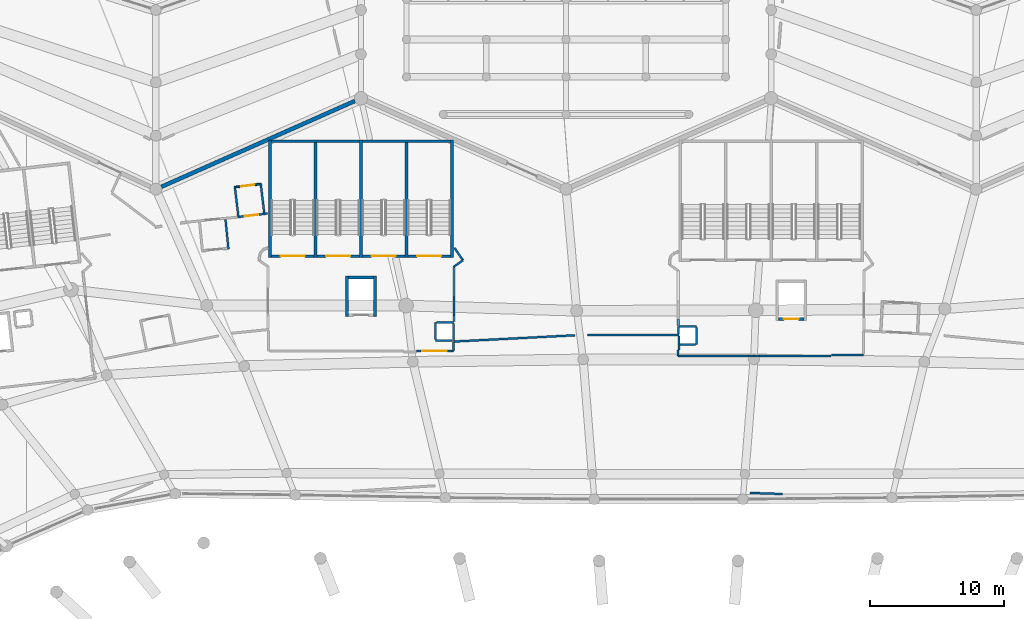
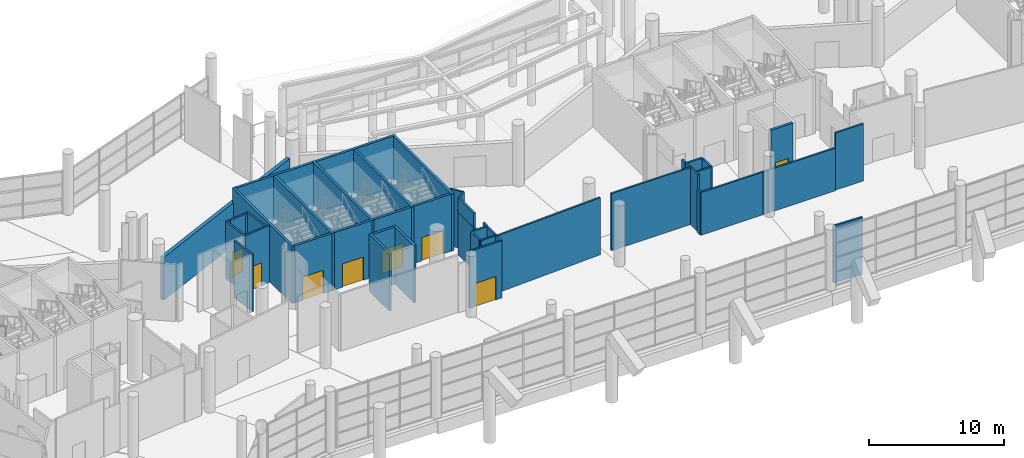
# One storey, part 188 of 271: 49 walls, 8 doors, 8 openings.
"""IFC4 building model written with IfcOpenShell, lengths in metres."""

from ifc_helpers import new_model, si_unit, direction, frame, frame_2d, origin, place, context, subcontext, project, spatial, rectangle, extrude, material, layer, layer_set, type_object, element, fill, save


model = new_model("IFC4")

# Units and contexts
model_context = context("Model", 3, precision=1e-05, world=origin(), true_north=direction((0.0, 1.0)))
body_context = subcontext(model_context, "Body", "Model", "MODEL_VIEW")
ifc_project = project(units=[si_unit("LENGTHUNIT", "METRE"), si_unit("AREAUNIT", "SQUARE_METRE"), si_unit("VOLUMEUNIT", "CUBIC_METRE"), si_unit("PLANEANGLEUNIT", "RADIAN"), si_unit("MASSUNIT", "GRAM", prefix="KILO")], contexts=[model_context])

# Site, building, storey
site_placement = place(None, origin())
site = spatial("IfcSite", under=ifc_project, at=site_placement, CompositionType="ELEMENT")
building_placement = place(site_placement, origin())
building = spatial("IfcBuilding", under=site, at=building_placement, Name="Meseta Stadium", CompositionType="ELEMENT")
storey_placement = place(building_placement, frame((0.0, 0.0, 6.5)))
storey = spatial("IfcBuildingStorey", under=building, at=storey_placement, Name="L01", CompositionType="ELEMENT", Elevation=6.5)

# Walls
ifc_material_1 = material(Name="Concrete C40/50", Category="concrete")
ifc_layer_1 = layer(ifc_material_1, 0.199951171875)
ifc_layer_set_1 = layer_set([ifc_layer_1], Name="Core divider wall 200")
wall_type_1 = type_object("IfcWallType", Name="Core divider wall 200", PredefinedType="SHEAR", material=ifc_layer_set_1)
for number, where, z_axis, x_axis, name in (
    (1, (-19.60009765625, 102.300048828125, 0.0), (0.0, 0.0, 1.0), (0.0, -1.0, 0.0), "Core 11 L01 stair A divider wall"),
    (2, (-26.39990234375, 102.300048828125, 0.0), (0.0, 0.0, 1.0), (0.0, -1.0, 0.0), "Core 11 L01 stair B divider wall"),
):
    element("IfcWall", number, at=place(storey_placement, frame(where, z_axis=z_axis, x_axis=x_axis)), inside=storey, type_object=wall_type_1, Name=name, PredefinedType="SHEAR", context=body_context, shape_type="SweptSolid", body=[
        extrude(rectangle(XDim=8.800048828125, YDim=0.199951171875, at=frame_2d((4.39990234375, 0.0))), origin(), (0.0, 0.0, 1.0), 5.14990234375),
    ])

# Wall, opening, door
ifc_material_2 = material(Name="Concrete C40/50", Category="concrete")
ifc_layer_2 = layer(ifc_material_2, 0.199951171875)
ifc_layer_set_2 = layer_set([ifc_layer_2], Name="Core shaft wall 200")
wall_type_2 = type_object("IfcWallType", Name="Core shaft wall 200", PredefinedType="SHEAR", material=ifc_layer_set_2)
wall_1_placement = place(storey_placement, frame((10.11669921875, 88.89990234375, 0.0), z_axis=(0.0, 0.0, 1.0), x_axis=(-1.0, 0.0, 0.0)))
wall_1 = element("IfcWall", 3, at=wall_1_placement, inside=storey, type_object=wall_type_2, Name="Core 10 L01 lift shaft front wall", PredefinedType="SHEAR", context=body_context, shape_type="SweptSolid", body=[
    extrude(rectangle(XDim=1.89990234375, YDim=0.199951171875, at=frame_2d((0.949951171875, 0.0))), origin(), (0.0, 0.0, 1.0), 5.14990234375),
])
opening_1_placement = place(wall_1_placement, frame((0.39990234375, 0.0, 0.0)))
opening_1 = element("IfcOpeningElement", 4, at=opening_1_placement, cuts=wall_1, Name="Opening LD53", PredefinedType="OPENING", context=body_context, shape_type="SweptSolid", body=[
    extrude(rectangle(XDim=1.10009765625, YDim=2.10009765625, at=frame_2d((0.550048828125, 1.050048828125))), frame((0.0, 0.10986328125, 0.0), z_axis=(0.0, -1.0, 0.0), x_axis=(1.0, 0.0, 0.0)), (0.0, 0.0, 1.0), 0.219970703125),
])
ifc_material_3 = material(Name="Steel", Category="steel")
door_type_1 = type_object("IfcDoorType", Name="Lift landing door 1100x2100", OperationType="SLIDING_TO_LEFT", PredefinedType="DOOR", material=ifc_material_3)
door_1_placement = place(opening_1_placement, origin())
door_1 = element("IfcDoor", 5, at=door_1_placement, inside=storey, type_object=door_type_1, Name="Lift landing door LD53", OperationType="SLIDING_TO_LEFT", OverallHeight=2.10009765625, OverallWidth=1.10009765625, PredefinedType="DOOR", context=body_context, shape_type="SweptSolid", body=[
    extrude(rectangle(XDim=1.10009765625, YDim=2.10009765625, at=frame_2d((0.550048828125, 1.050048828125))), frame((0.0, 0.02490234375, 0.0), z_axis=(0.0, -1.0, 0.0), x_axis=(1.0, 0.0, 0.0)), (0.0, 0.0, 1.0), 0.050048828125),
])
fill(opening_1, door_1)

# Walls
for number, where, z_axis, x_axis, name in (
    (6, (-16.199951171875, 102.300048828125, 0.0), (0.0, 0.0, 1.0), (0.0, -1.0, 0.0), "Core 11 L01 stair wall A-side"),
    (7, (-23.0, 102.300048828125, 0.0), (0.0, 0.0, 1.0), (0.0, -1.0, 0.0), "Core 11 L01 stair wall shared"),
    (8, (-29.800048828125, 102.300048828125, 0.0), (0.0, 0.0, 1.0), (0.0, -1.0, 0.0), "Core 11 L01 stair wall B-side"),
):
    element("IfcWall", number, at=place(storey_placement, frame(where, z_axis=z_axis, x_axis=x_axis)), inside=storey, type_object=wall_type_2, Name=name, PredefinedType="SHEAR", context=body_context, shape_type="SweptSolid", body=[
        extrude(rectangle(XDim=8.800048828125, YDim=0.199951171875, at=frame_2d((4.39990234375, 0.0))), origin(), (0.0, 0.0, 1.0), 5.14990234375),
    ])
for number, where, z_axis, x_axis, name in (
    (9, (-16.300048828125, 102.199951171875, 0.0), (0.0, 0.0, 1.0), (-1.0, 0.0, 0.0), "Core 11 L01 stair A outer end wall"),
    (10, (-23.10009765625, 102.199951171875, 0.0), (0.0, 0.0, 1.0), (-1.0, 0.0, 0.0), "Core 11 L01 stair B outer end wall"),
):
    element("IfcWall", number, at=place(storey_placement, frame(where, z_axis=z_axis, x_axis=x_axis)), inside=storey, type_object=wall_type_2, Name=name, PredefinedType="SHEAR", context=body_context, shape_type="SweptSolid", body=[
        extrude(rectangle(XDim=6.599853515625, YDim=0.199951171875, at=frame_2d((3.2998046875, 0.0))), origin(), (0.0, 0.0, 1.0), 5.14990234375),
    ])

# Wall, opening, door
wall_2_placement = place(storey_placement, frame((-16.300048828125, 93.60009765625, 0.0), z_axis=(0.0, 0.0, 1.0), x_axis=(-1.0, 0.0, 0.0)))
wall_2 = element("IfcWall", 11, at=wall_2_placement, inside=storey, type_object=wall_type_2, Name="Core 11 L01 stair A1 inner end wall", PredefinedType="SHEAR", context=body_context, shape_type="SweptSolid", body=[
    extrude(rectangle(XDim=3.199951171875, YDim=0.199951171875, at=frame_2d((1.60009765625, 0.0))), origin(), (0.0, 0.0, 1.0), 5.14990234375),
])
opening_2_placement = place(wall_2_placement, frame((0.699951171875, 0.0, 0.0)))
opening_2 = element("IfcOpeningElement", 12, at=opening_2_placement, cuts=wall_2, Name="Opening D159", PredefinedType="OPENING", context=body_context, shape_type="SweptSolid", body=[
    extrude(rectangle(XDim=1.800048828125, YDim=2.10009765625, at=frame_2d((0.89990234375, 1.050048828125))), frame((0.0, 0.10986328125, 0.0), z_axis=(0.0, -1.0, 0.0), x_axis=(1.0, 0.0, 0.0)), (0.0, 0.0, 1.0), 0.219970703125),
])
ifc_material_4 = material(Name="Steel", Category="steel")
door_type_2 = type_object("IfcDoorType", Name="Stair door 1800x2100", OperationType="DOUBLE_DOOR_SINGLE_SWING", PredefinedType="DOOR", material=ifc_material_4)
door_2_placement = place(opening_2_placement, origin())
door_2 = element("IfcDoor", 13, at=door_2_placement, inside=storey, type_object=door_type_2, Name="Stair A1 door 11 L01", OperationType="DOUBLE_DOOR_SINGLE_SWING", OverallHeight=2.10009765625, OverallWidth=1.800048828125, PredefinedType="DOOR", context=body_context, shape_type="SweptSolid", body=[
    extrude(rectangle(XDim=1.800048828125, YDim=2.10009765625, at=frame_2d((0.89990234375, 1.050048828125))), frame((0.0, 0.02490234375, 0.0), z_axis=(0.0, -1.0, 0.0), x_axis=(1.0, 0.0, 0.0)), (0.0, 0.0, 1.0), 0.050048828125),
])
fill(opening_2, door_2)

wall_3_placement = place(storey_placement, frame((-19.699951171875, 93.60009765625, 0.0), z_axis=(0.0, 0.0, 1.0), x_axis=(-1.0, 0.0, 0.0)))
wall_3 = element("IfcWall", 14, at=wall_3_placement, inside=storey, type_object=wall_type_2, Name="Core 11 L01 stair A2 inner end wall", PredefinedType="SHEAR", context=body_context, shape_type="SweptSolid", body=[
    extrude(rectangle(XDim=3.199951171875, YDim=0.199951171875, at=frame_2d((1.60009765625, 0.0))), origin(), (0.0, 0.0, 1.0), 5.14990234375),
])
opening_3_placement = place(wall_3_placement, frame((0.699951171875, 0.0, 0.0)))
opening_3 = element("IfcOpeningElement", 15, at=opening_3_placement, cuts=wall_3, Name="Opening D160", PredefinedType="OPENING", context=body_context, shape_type="SweptSolid", body=[
    extrude(rectangle(XDim=1.800048828125, YDim=2.10009765625, at=frame_2d((0.89990234375, 1.050048828125))), frame((0.0, 0.10986328125, 0.0), z_axis=(0.0, -1.0, 0.0), x_axis=(1.0, 0.0, 0.0)), (0.0, 0.0, 1.0), 0.219970703125),
])
door_3_placement = place(opening_3_placement, origin())
door_3 = element("IfcDoor", 16, at=door_3_placement, inside=storey, type_object=door_type_2, Name="Stair A2 door 11 L01", OperationType="DOUBLE_DOOR_SINGLE_SWING", OverallHeight=2.10009765625, OverallWidth=1.800048828125, PredefinedType="DOOR", context=body_context, shape_type="SweptSolid", body=[
    extrude(rectangle(XDim=1.800048828125, YDim=2.10009765625, at=frame_2d((0.89990234375, 1.050048828125))), frame((0.0, 0.02490234375, 0.0), z_axis=(0.0, -1.0, 0.0), x_axis=(1.0, 0.0, 0.0)), (0.0, 0.0, 1.0), 0.050048828125),
])
fill(opening_3, door_3)

wall_4_placement = place(storey_placement, frame((-23.10009765625, 93.60009765625, 0.0), z_axis=(0.0, 0.0, 1.0), x_axis=(-1.0, 0.0, 0.0)))
wall_4 = element("IfcWall", 17, at=wall_4_placement, inside=storey, type_object=wall_type_2, Name="Core 11 L01 stair B1 inner end wall", PredefinedType="SHEAR", context=body_context, shape_type="SweptSolid", body=[
    extrude(rectangle(XDim=3.199951171875, YDim=0.199951171875, at=frame_2d((1.60009765625, 0.0))), origin(), (0.0, 0.0, 1.0), 5.14990234375),
])
opening_4_placement = place(wall_4_placement, frame((0.699951171875, 0.0, 0.0)))
opening_4 = element("IfcOpeningElement", 18, at=opening_4_placement, cuts=wall_4, Name="Opening D161", PredefinedType="OPENING", context=body_context, shape_type="SweptSolid", body=[
    extrude(rectangle(XDim=1.800048828125, YDim=2.10009765625, at=frame_2d((0.89990234375, 1.050048828125))), frame((0.0, 0.10986328125, 0.0), z_axis=(0.0, -1.0, 0.0), x_axis=(1.0, 0.0, 0.0)), (0.0, 0.0, 1.0), 0.219970703125),
])
door_4_placement = place(opening_4_placement, origin())
door_4 = element("IfcDoor", 19, at=door_4_placement, inside=storey, type_object=door_type_2, Name="Stair B1 door 11 L01", OperationType="DOUBLE_DOOR_SINGLE_SWING", OverallHeight=2.10009765625, OverallWidth=1.800048828125, PredefinedType="DOOR", context=body_context, shape_type="SweptSolid", body=[
    extrude(rectangle(XDim=1.800048828125, YDim=2.10009765625, at=frame_2d((0.89990234375, 1.050048828125))), frame((0.0, 0.02490234375, 0.0), z_axis=(0.0, -1.0, 0.0), x_axis=(1.0, 0.0, 0.0)), (0.0, 0.0, 1.0), 0.050048828125),
])
fill(opening_4, door_4)

wall_5_placement = place(storey_placement, frame((-26.5, 93.60009765625, 0.0), z_axis=(0.0, 0.0, 1.0), x_axis=(-1.0, 0.0, 0.0)))
wall_5 = element("IfcWall", 20, at=wall_5_placement, inside=storey, type_object=wall_type_2, Name="Core 11 L01 stair B2 inner end wall", PredefinedType="SHEAR", context=body_context, shape_type="SweptSolid", body=[
    extrude(rectangle(XDim=3.199951171875, YDim=0.199951171875, at=frame_2d((1.60009765625, 0.0))), origin(), (0.0, 0.0, 1.0), 5.14990234375),
])
opening_5_placement = place(wall_5_placement, frame((0.699951171875, 0.0, 0.0)))
opening_5 = element("IfcOpeningElement", 21, at=opening_5_placement, cuts=wall_5, Name="Opening D162", PredefinedType="OPENING", context=body_context, shape_type="SweptSolid", body=[
    extrude(rectangle(XDim=1.800048828125, YDim=2.10009765625, at=frame_2d((0.89990234375, 1.050048828125))), frame((0.0, 0.10986328125, 0.0), z_axis=(0.0, -1.0, 0.0), x_axis=(1.0, 0.0, 0.0)), (0.0, 0.0, 1.0), 0.219970703125),
])
door_5_placement = place(opening_5_placement, origin())
door_5 = element("IfcDoor", 22, at=door_5_placement, inside=storey, type_object=door_type_2, Name="Stair B2 door 11 L01", OperationType="DOUBLE_DOOR_SINGLE_SWING", OverallHeight=2.10009765625, OverallWidth=1.800048828125, PredefinedType="DOOR", context=body_context, shape_type="SweptSolid", body=[
    extrude(rectangle(XDim=1.800048828125, YDim=2.10009765625, at=frame_2d((0.89990234375, 1.050048828125))), frame((0.0, 0.02490234375, 0.0), z_axis=(0.0, -1.0, 0.0), x_axis=(1.0, 0.0, 0.0)), (0.0, 0.0, 1.0), 0.050048828125),
])
fill(opening_5, door_5)

# Walls
for number, where, z_axis, x_axis, name in (
    (23, (-21.949951171875, 92.10009765625, 0.0), (0.0, 0.0, 1.0), (0.0, -1.0, 0.0), "Core 11 L01 lift shaft wall left"),
    (24, (-24.050048828125, 92.10009765625, 0.0), (0.0, 0.0, 1.0), (0.0, -1.0, 0.0), "Core 11 L01 lift shaft wall right"),
):
    element("IfcWall", number, at=place(storey_placement, frame(where, z_axis=z_axis, x_axis=x_axis)), inside=storey, type_object=wall_type_2, Name=name, PredefinedType="SHEAR", context=body_context, shape_type="SweptSolid", body=[
        extrude(rectangle(XDim=3.0, YDim=0.199951171875, at=frame_2d((1.5, 0.0))), origin(), (0.0, 0.0, 1.0), 5.14990234375),
    ])
wall_6_placement = place(storey_placement, frame((-22.050048828125, 92.0, 0.0), z_axis=(0.0, 0.0, 1.0), x_axis=(-1.0, 0.0, 0.0)))
element("IfcWall", 25, at=wall_6_placement, inside=storey, type_object=wall_type_2, Name="Core 11 L01 lift shaft back wall", PredefinedType="SHEAR", context=body_context, shape_type="SweptSolid", body=[
    extrude(rectangle(XDim=1.89990234375, YDim=0.199951171875, at=frame_2d((0.949951171875, 0.0))), origin(), (0.0, 0.0, 1.0), 5.14990234375),
])
ifc_material_5 = material(Name="Masonry blockwork", Category="masonry")
ifc_layer_3 = layer(ifc_material_5, 0.14990234375)
ifc_layer_set_3 = layer_set([ifc_layer_3], Name="Partition 150")
wall_type_3 = type_object("IfcWallType", Name="Partition 150", PredefinedType="PARTITIONING", material=ifc_layer_set_3)
wall_7_placement = place(storey_placement, frame((8.506103515625, 75.812744140625, 0.0), z_axis=(0.0, 0.0, 1.0), x_axis=(-0.999400729442, 0.034614765498, 0.0)))
element("IfcWall", 26, at=wall_7_placement, inside=storey, type_object=wall_type_3, Name="Partition L01 L01-cell08-0-0", PredefinedType="PARTITIONING", context=body_context, shape_type="SweptSolid", body=[
    extrude(rectangle(XDim=2.42626953125, YDim=0.14990234375, at=frame_2d((1.213134765625, 0.0))), origin(), (0.0, 0.0, 1.0), 5.14990234375),
])
wall_8_placement = place(storey_placement, frame((12.16845703125, 86.199951171875, 0.0), z_axis=(0.0, 0.0, 1.0), x_axis=(1.0, 0.0, 0.0)))
element("IfcWall", 27, at=wall_8_placement, inside=storey, type_object=wall_type_3, Name="Partition L01 L01-cell08-0-0", PredefinedType="PARTITIONING", context=body_context, shape_type="SweptSolid", body=[
    extrude(rectangle(XDim=2.398193359375, YDim=0.14990234375, at=frame_2d((1.19921875, 0.0))), origin(), (0.0, 0.0, 1.0), 5.14990234375),
])

# Wall, opening, door
wall_9_placement = place(storey_placement, frame((-18.85107421875, 86.5, 0.0), z_axis=(0.0, 0.0, 1.0), x_axis=(1.0, 0.0, 0.0)))
wall_9 = element("IfcWall", 28, at=wall_9_placement, inside=storey, type_object=wall_type_3, Name="Partition L01 L01-cell09-0-0", PredefinedType="PARTITIONING", context=body_context, shape_type="SweptSolid", body=[
    extrude(rectangle(XDim=2.7509765625, YDim=0.14990234375, at=frame_2d((1.37548828125, 0.0))), origin(), (0.0, 0.0, 1.0), 5.14990234375),
])
opening_6_placement = place(wall_9_placement, frame((0.449951171875, 0.0, 0.0)))
opening_6 = element("IfcOpeningElement", 29, at=opening_6_placement, cuts=wall_9, Name="Opening D651", PredefinedType="OPENING", context=body_context, shape_type="SweptSolid", body=[
    extrude(rectangle(XDim=1.800048828125, YDim=2.10009765625, at=frame_2d((0.89990234375, 1.050048828125))), frame((0.0, 0.0849609375, 0.0), z_axis=(0.0, -1.0, 0.0), x_axis=(1.0, 0.0, 0.0)), (0.0, 0.0, 1.0), 0.169921875),
])
ifc_material_6 = material(Name="Steel", Category="steel")
door_type_3 = type_object("IfcDoorType", Name="Fire double door 1800x2100 EI2 60", OperationType="DOUBLE_DOOR_SINGLE_SWING", PredefinedType="DOOR", material=ifc_material_6)
door_6_placement = place(opening_6_placement, origin())
door_6 = element("IfcDoor", 30, at=door_6_placement, inside=storey, type_object=door_type_3, Name="Door D651", OperationType="DOUBLE_DOOR_SINGLE_SWING", OverallHeight=2.10009765625, OverallWidth=1.800048828125, PredefinedType="DOOR", context=body_context, shape_type="SweptSolid", body=[
    extrude(rectangle(XDim=1.800048828125, YDim=2.10009765625, at=frame_2d((0.89990234375, 1.050048828125))), frame((0.0, 0.02490234375, 0.0), z_axis=(0.0, -1.0, 0.0), x_axis=(1.0, 0.0, 0.0)), (0.0, 0.0, 1.0), 0.050048828125),
])
fill(opening_6, door_6)

# Walls
wall_10_placement = place(storey_placement, frame((-16.10009765625, 86.5, 0.0), z_axis=(0.0, 0.0, 1.0), x_axis=(0.0, 1.0, 0.0)))
element("IfcWall", 31, at=wall_10_placement, inside=storey, type_object=wall_type_3, Name="Partition L01 L01-cell09-0-0", PredefinedType="PARTITIONING", context=body_context, shape_type="SweptSolid", body=[
    extrude(rectangle(XDim=0.7099609375, YDim=0.14990234375, at=frame_2d((0.35498046875, 0.0))), origin(), (0.0, 0.0, 1.0), 5.14990234375),
])
wall_11_placement = place(storey_placement, frame((-16.02490234375, 87.2138671875, 0.0), z_axis=(0.0, 0.0, 1.0), x_axis=(0.998660530851, 0.051741126006, 0.0)))
element("IfcWall", 32, at=wall_11_placement, inside=storey, type_object=wall_type_3, Name="Partition L01 L01-cell09-0-0", PredefinedType="PARTITIONING", context=body_context, shape_type="SweptSolid", body=[
    extrude(rectangle(XDim=9.026611328125, YDim=0.14990234375, at=frame_2d((4.51318359375, 0.0))), origin(), (0.0, 0.0, 1.0), 5.14990234375),
])
wall_12_placement = place(storey_placement, frame((-6.045654296875, 87.705810546875, 0.0), z_axis=(0.0, 0.0, 1.0), x_axis=(1.0, 0.0, 0.0)))
element("IfcWall", 33, at=wall_12_placement, inside=storey, type_object=wall_type_3, Name="Partition L01 L01-cell09-0-0", PredefinedType="PARTITIONING", context=body_context, shape_type="SweptSolid", body=[
    extrude(rectangle(XDim=6.812255859375, YDim=0.14990234375, at=frame_2d((3.40625, 0.0))), origin(), (0.0, 0.0, 1.0), 5.14990234375),
])
wall_13_placement = place(storey_placement, frame((0.7666015625, 87.630859375, 0.0), z_axis=(0.0, 0.0, 1.0), x_axis=(0.0, -1.0, 0.0)))
element("IfcWall", 34, at=wall_13_placement, inside=storey, type_object=wall_type_3, Name="Partition L01 L01-cell09-0-0", PredefinedType="PARTITIONING", context=body_context, shape_type="SweptSolid", body=[
    extrude(rectangle(XDim=1.054443359375, YDim=0.14990234375, at=frame_2d((0.52734375, 0.0))), origin(), (0.0, 0.0, 1.0), 5.14990234375),
])

# Wall, opening, door
wall_14_placement = place(storey_placement, frame((-30.0, 96.783447265625, 0.0), z_axis=(0.0, 0.0, 1.0), x_axis=(-0.992839520799, -0.119455790735, 0.0)))
wall_14 = element("IfcWall", 35, at=wall_14_placement, inside=storey, type_object=wall_type_3, Name="Partition L01 L01-cell10-2-0", PredefinedType="PARTITIONING", context=body_context, shape_type="SweptSolid", body=[
    extrude(rectangle(XDim=2.231689453125, YDim=0.14990234375, at=frame_2d((1.11572265625, 0.0))), origin(), (0.0, 0.0, 1.0), 5.14990234375),
])
opening_7_placement = place(wall_14_placement, frame((0.699951171875, 0.0, 0.0)))
opening_7 = element("IfcOpeningElement", 36, at=opening_7_placement, cuts=wall_14, Name="Opening D653", PredefinedType="OPENING", context=body_context, shape_type="SweptSolid", body=[
    extrude(rectangle(XDim=1.0, YDim=2.10009765625, at=frame_2d((0.5, 1.050048828125))), frame((0.0, 0.0849609375, 0.0), z_axis=(0.0, -1.0, 0.0), x_axis=(1.0, 0.0, 0.0)), (0.0, 0.0, 1.0), 0.169921875),
])
ifc_material_7 = material(Name="Steel", Category="steel")
door_type_4 = type_object("IfcDoorType", Name="Fire door 1000x2100 EI2 60", OperationType="NOTDEFINED", PredefinedType="DOOR", material=ifc_material_7)
door_7_placement = place(opening_7_placement, origin())
door_7 = element("IfcDoor", 37, at=door_7_placement, inside=storey, type_object=door_type_4, Name="Door D653", OperationType="SINGLE_SWING_RIGHT", OverallHeight=2.10009765625, OverallWidth=1.0, PredefinedType="DOOR", context=body_context, shape_type="SweptSolid", body=[
    extrude(rectangle(XDim=1.0, YDim=2.10009765625, at=frame_2d((0.5, 1.050048828125))), frame((0.0, 0.02490234375, 0.0), z_axis=(0.0, -1.0, 0.0), x_axis=(1.0, 0.0, 0.0)), (0.0, 0.0, 1.0), 0.050048828125),
])
fill(opening_7, door_7)

# Walls
wall_15_placement = place(storey_placement, frame((2.091796875, 88.324951171875, 0.0), z_axis=(0.0, 0.0, 1.0), x_axis=(-1.0, 0.0, 0.0)))
element("IfcWall", 38, at=wall_15_placement, inside=storey, type_object=wall_type_3, Name="Pressurisation shaft wall L01 core 10", PredefinedType="PARTITIONING", context=body_context, shape_type="SweptSolid", body=[
    extrude(rectangle(XDim=1.275146484375, YDim=0.14990234375, at=frame_2d((0.6376953125, 0.0))), origin(), (0.0, 0.0, 1.0), 5.14990234375),
])
wall_16_placement = place(storey_placement, frame((0.74169921875, 88.324951171875, 0.0), z_axis=(0.0, 0.0, 1.0), x_axis=(0.0, -1.0, 0.0)))
element("IfcWall", 39, at=wall_16_placement, inside=storey, type_object=wall_type_3, Name="Pressurisation shaft wall L01 core 10", PredefinedType="PARTITIONING", context=body_context, shape_type="SweptSolid", body=[
    extrude(rectangle(XDim=0.543212890625, YDim=0.14990234375, at=frame_2d((0.271484375, 0.0))), origin(), (0.0, 0.0, 1.0), 5.14990234375),
])
wall_17_placement = place(storey_placement, frame((0.8427734375, 86.97509765625, 0.0), z_axis=(0.0, 0.0, 1.0), x_axis=(1.0, 0.0, 0.0)))
element("IfcWall", 40, at=wall_17_placement, inside=storey, type_object=wall_type_3, Name="Pressurisation shaft wall L01 core 10", PredefinedType="PARTITIONING", context=body_context, shape_type="SweptSolid", body=[
    extrude(rectangle(XDim=1.173828125, YDim=0.14990234375, at=frame_2d((0.5869140625, 0.0))), origin(), (0.0, 0.0, 1.0), 5.14990234375),
])
wall_18_placement = place(storey_placement, frame((2.091796875, 86.97509765625, 0.0), z_axis=(0.0, 0.0, 1.0), x_axis=(0.0, 1.0, 0.0)))
element("IfcWall", 41, at=wall_18_placement, inside=storey, type_object=wall_type_3, Name="Pressurisation shaft wall L01 core 10", PredefinedType="PARTITIONING", context=body_context, shape_type="SweptSolid", body=[
    extrude(rectangle(XDim=1.27490234375, YDim=0.14990234375, at=frame_2d((0.637451171875, 0.0))), origin(), (0.0, 0.0, 1.0), 5.14990234375),
])
wall_19_placement = place(storey_placement, frame((0.7216796875, 88.86181640625, 3.85009765625), z_axis=(0.0, 0.0, 1.0), x_axis=(0.0, -1.0, 0.0)))
element("IfcWall", 42, at=wall_19_placement, inside=storey, type_object=wall_type_3, Name="Stair vestibule wall L01 core 10", PredefinedType="PARTITIONING", context=body_context, shape_type="SweptSolid", body=[
    extrude(rectangle(XDim=0.4560546875, YDim=0.14990234375, at=frame_2d((0.22802734375, 0.0))), origin(), (0.0, 0.0, 1.0), 1.2998046875),
])
wall_20_placement = place(storey_placement, frame((0.691650390625, 86.56640625, 0.0), z_axis=(0.0, 0.0, 1.0), x_axis=(0.0, -1.0, 0.0)))
element("IfcWall", 43, at=wall_20_placement, inside=storey, type_object=wall_type_3, Name="Stair vestibule wall L01 core 10", PredefinedType="PARTITIONING", context=body_context, shape_type="SweptSolid", body=[
    extrude(rectangle(XDim=0.44140625, YDim=0.14990234375, at=frame_2d((0.220703125, 0.0))), origin(), (0.0, 0.0, 1.0), 3.85009765625),
])
wall_21_placement = place(storey_placement, frame((0.691650390625, 86.125, 0.0), z_axis=(0.0, 0.0, 1.0), x_axis=(1.0, 0.0, 0.0)))
element("IfcWall", 44, at=wall_21_placement, inside=storey, type_object=wall_type_3, Name="Stair vestibule wall L01 core 10", PredefinedType="PARTITIONING", context=body_context, shape_type="SweptSolid", body=[
    extrude(rectangle(XDim=5.279052734375, YDim=0.14990234375, at=frame_2d((2.6396484375, 0.0))), origin(), (0.0, 0.0, 1.0), 3.85009765625),
])
wall_22_placement = place(storey_placement, frame((6.80322265625, 86.125, 0.0), z_axis=(0.0, 0.0, 1.0), x_axis=(1.0, 0.0, 0.0)))
element("IfcWall", 45, at=wall_22_placement, inside=storey, type_object=wall_type_3, Name="Stair vestibule wall L01 core 10", PredefinedType="PARTITIONING", context=body_context, shape_type="SweptSolid", body=[
    extrude(rectangle(XDim=5.355224609375, YDim=0.14990234375, at=frame_2d((2.677734375, 0.0))), origin(), (0.0, 0.0, 1.0), 3.85009765625),
])
wall_23_placement = place(storey_placement, frame((5.970703125, 86.125, 0.0), z_axis=(0.0, 0.0, 1.0), x_axis=(1.0, 0.0, 0.0)))
element("IfcWall", 46, at=wall_23_placement, inside=storey, type_object=wall_type_3, Name="Stair vestibule wall L01 core 10", PredefinedType="PARTITIONING", context=body_context, shape_type="SweptSolid", body=[
    extrude(rectangle(XDim=0.41650390625, YDim=0.14990234375, at=frame_2d((0.208251953125, 0.0))), origin(), (0.0, 0.0, 1.0), 3.85009765625),
])
wall_24_placement = place(storey_placement, frame((6.38720703125, 86.125, 0.0), z_axis=(0.0, 0.0, 1.0), x_axis=(1.0, 0.0, 0.0)))
element("IfcWall", 47, at=wall_24_placement, inside=storey, type_object=wall_type_3, Name="Stair vestibule wall L01 core 10", PredefinedType="PARTITIONING", context=body_context, shape_type="SweptSolid", body=[
    extrude(rectangle(XDim=0.416015625, YDim=0.14990234375, at=frame_2d((0.2080078125, 0.0))), origin(), (0.0, 0.0, 1.0), 3.85009765625),
])
wall_25_placement = place(storey_placement, frame((-16.074951171875, 88.625, 0.0), z_axis=(0.0, 0.0, 1.0), x_axis=(-1.0, 0.0, 0.0)))
element("IfcWall", 48, at=wall_25_placement, inside=storey, type_object=wall_type_3, Name="Pressurisation shaft wall L01 core 11", PredefinedType="PARTITIONING", context=body_context, shape_type="SweptSolid", body=[
    extrude(rectangle(XDim=1.275146484375, YDim=0.14990234375, at=frame_2d((0.6376953125, 0.0))), origin(), (0.0, 0.0, 1.0), 5.14990234375),
])
wall_26_placement = place(storey_placement, frame((-17.425048828125, 88.625, 0.0), z_axis=(0.0, 0.0, 1.0), x_axis=(0.0, -1.0, 0.0)))
element("IfcWall", 49, at=wall_26_placement, inside=storey, type_object=wall_type_3, Name="Pressurisation shaft wall L01 core 11", PredefinedType="PARTITIONING", context=body_context, shape_type="SweptSolid", body=[
    extrude(rectangle(XDim=1.27490234375, YDim=0.14990234375, at=frame_2d((0.637451171875, 0.0))), origin(), (0.0, 0.0, 1.0), 5.14990234375),
])
wall_27_placement = place(storey_placement, frame((-17.425048828125, 87.27490234375, 0.0), z_axis=(0.0, 0.0, 1.0), x_axis=(1.0, 0.0, 0.0)))
element("IfcWall", 50, at=wall_27_placement, inside=storey, type_object=wall_type_3, Name="Pressurisation shaft wall L01 core 11", PredefinedType="PARTITIONING", context=body_context, shape_type="SweptSolid", body=[
    extrude(rectangle(XDim=1.2490234375, YDim=0.14990234375, at=frame_2d((0.62451171875, 0.0))), origin(), (0.0, 0.0, 1.0), 5.14990234375),
])
wall_28_placement = place(storey_placement, frame((-16.074951171875, 87.291259765625, 0.0), z_axis=(0.0, 0.0, 1.0), x_axis=(0.0, 1.0, 0.0)))
element("IfcWall", 51, at=wall_28_placement, inside=storey, type_object=wall_type_3, Name="Pressurisation shaft wall L01 core 11", PredefinedType="PARTITIONING", context=body_context, shape_type="SweptSolid", body=[
    extrude(rectangle(XDim=1.2587890625, YDim=0.14990234375, at=frame_2d((0.62939453125, 0.0))), origin(), (0.0, 0.0, 1.0), 5.14990234375),
])
wall_29_placement = place(storey_placement, frame((-16.054931640625, 88.7099609375, 0.0), z_axis=(0.0, 0.0, 1.0), x_axis=(0.0, 1.0, 0.0)))
element("IfcWall", 52, at=wall_29_placement, inside=storey, type_object=wall_type_3, Name="Stair vestibule wall L01 core 11", PredefinedType="PARTITIONING", context=body_context, shape_type="SweptSolid", body=[
    extrude(rectangle(XDim=4.099365234375, YDim=0.14990234375, at=frame_2d((2.0498046875, 0.0))), origin(), (0.0, 0.0, 1.0), 3.85009765625),
])
wall_30_placement = place(storey_placement, frame((-16.054931640625, 88.7099609375, 3.85009765625), z_axis=(0.0, 0.0, 1.0), x_axis=(0.0, 1.0, 0.0)))
element("IfcWall", 53, at=wall_30_placement, inside=storey, type_object=wall_type_3, Name="Stair vestibule wall L01 core 11", PredefinedType="PARTITIONING", context=body_context, shape_type="SweptSolid", body=[
    extrude(rectangle(XDim=0.45556640625, YDim=0.14990234375, at=frame_2d((0.227783203125, 0.0))), origin(), (0.0, 0.0, 1.0), 1.2998046875),
])
wall_31_placement = place(storey_placement, frame((-16.054931640625, 90.531982421875, 3.85009765625), z_axis=(0.0, 0.0, 1.0), x_axis=(0.0, 1.0, 0.0)))
element("IfcWall", 54, at=wall_31_placement, inside=storey, type_object=wall_type_3, Name="Stair vestibule wall L01 core 11", PredefinedType="PARTITIONING", context=body_context, shape_type="SweptSolid", body=[
    extrude(rectangle(XDim=2.27734375, YDim=0.14990234375, at=frame_2d((1.138671875, 0.0))), origin(), (0.0, 0.0, 1.0), 1.2998046875),
])
wall_32_placement = place(storey_placement, frame((-16.054931640625, 92.809326171875, 0.0), z_axis=(0.0, 0.0, 1.0), x_axis=(0.81774999294, 0.575573582652, 0.0)))
element("IfcWall", 55, at=wall_32_placement, inside=storey, type_object=wall_type_3, Name="Stair vestibule wall L01 core 11", PredefinedType="PARTITIONING", context=body_context, shape_type="SweptSolid", body=[
    extrude(rectangle(XDim=0.82958984375, YDim=0.14990234375, at=frame_2d((0.414794921875, 0.0))), origin(), (0.0, 0.0, 1.0), 5.14990234375),
])
wall_33_placement = place(storey_placement, frame((-15.37646484375, 93.286865234375, 0.0), z_axis=(0.0, 0.0, 1.0), x_axis=(-0.562120553728, 0.827055308354, 0.0)))
element("IfcWall", 56, at=wall_33_placement, inside=storey, type_object=wall_type_3, Name="Stair vestibule wall L01 core 11", PredefinedType="PARTITIONING", context=body_context, shape_type="SweptSolid", body=[
    extrude(rectangle(XDim=1.1279296875, YDim=0.14990234375, at=frame_2d((0.56396484375, 0.0))), origin(), (0.0, 0.0, 1.0), 5.14990234375),
])
for number, where, z_axis, x_axis, name in (
    (57, (-33.12890625, 96.35107421875, 0.0), (0.0, 0.0, 1.0), (0.098526017182, -0.995134475304, 0.0), "Partition L01 L01-cell10-2-0 vestibule"),
    (58, (-30.232421875, 96.8310546875, 0.0), (0.0, 0.0, 1.0), (-0.119359153818, 0.992851143123, 0.0), "Partition L01 L01-cell10-2-0 vestibule"),
    (59, (-32.16845703125, 96.59814453125, 0.0), (0.0, 0.0, 1.0), (-0.119359153818, 0.992851143123, 0.0), "Partition L01 L01-cell10-2-0 vestibule"),
):
    element("IfcWall", number, at=place(storey_placement, frame(where, z_axis=z_axis, x_axis=x_axis)), inside=storey, type_object=wall_type_3, Name=name, PredefinedType="PARTITIONING", context=body_context, shape_type="SweptSolid", body=[
        extrude(rectangle(XDim=2.25, YDim=0.14990234375, at=frame_2d((1.125, 0.0))), origin(), (0.0, 0.0, 1.0), 5.14990234375),
    ])
wall_34_placement = place(storey_placement, frame((-30.56640625, 98.9814453125, 0.0), z_axis=(0.0, 0.0, 1.0), x_axis=(-0.992830592569, -0.119529973061, 0.0)))
element("IfcWall", 60, at=wall_34_placement, inside=storey, type_object=wall_type_3, Name="Partition L01 L01-cell10-2-0 vestibule", PredefinedType="PARTITIONING", context=body_context, shape_type="SweptSolid", body=[
    extrude(rectangle(XDim=0.2001953125, YDim=0.14990234375, at=frame_2d((0.10009765625, 0.0))), origin(), (0.0, 0.0, 1.0), 5.14990234375),
])

# Wall, opening, door
wall_35_placement = place(storey_placement, frame((-30.76513671875, 98.95751953125, 0.0), z_axis=(0.0, 0.0, 1.0), x_axis=(-0.99283882799, -0.119461548774, 0.0)))
wall_35 = element("IfcWall", 61, at=wall_35_placement, inside=storey, type_object=wall_type_3, Name="Partition L01 L01-cell10-2-0 vestibule", PredefinedType="PARTITIONING", context=body_context, shape_type="SweptSolid", body=[
    extrude(rectangle(XDim=1.39990234375, YDim=0.14990234375, at=frame_2d((0.699951171875, 0.0))), origin(), (0.0, 0.0, 1.0), 5.14990234375),
])
opening_8_placement = place(wall_35_placement, frame((0.199951171875, 0.0, 0.0)))
opening_8 = element("IfcOpeningElement", 62, at=opening_8_placement, cuts=wall_35, Name="Opening D898", PredefinedType="OPENING", context=body_context, shape_type="SweptSolid", body=[
    extrude(rectangle(XDim=1.0, YDim=2.10009765625, at=frame_2d((0.5, 1.050048828125))), frame((0.0, 0.0849609375, 0.0), z_axis=(0.0, -1.0, 0.0), x_axis=(1.0, 0.0, 0.0)), (0.0, 0.0, 1.0), 0.169921875),
])
door_8_placement = place(opening_8_placement, origin())
door_8 = element("IfcDoor", 63, at=door_8_placement, inside=storey, type_object=door_type_4, Name="Vestibule door L01 L01-cell10-2-0", OperationType="SINGLE_SWING_RIGHT", OverallHeight=2.10009765625, OverallWidth=1.0, PredefinedType="DOOR", context=body_context, shape_type="SweptSolid", body=[
    extrude(rectangle(XDim=1.0, YDim=2.10009765625, at=frame_2d((0.5, 1.050048828125))), frame((0.0, 0.02490234375, 0.0), z_axis=(0.0, -1.0, 0.0), x_axis=(1.0, 0.0, 0.0)), (0.0, 0.0, 1.0), 0.050048828125),
])
fill(opening_8, door_8)

# Walls
wall_36_placement = place(storey_placement, frame((-32.155029296875, 98.790283203125, 0.0), z_axis=(0.0, 0.0, 1.0), x_axis=(-0.992957519171, -0.118470946322, 0.0)))
element("IfcWall", 64, at=wall_36_placement, inside=storey, type_object=wall_type_3, Name="Partition L01 L01-cell10-2-0 vestibule", PredefinedType="PARTITIONING", context=body_context, shape_type="SweptSolid", body=[
    extrude(rectangle(XDim=0.199951171875, YDim=0.14990234375, at=frame_2d((0.10009765625, 0.0))), origin(), (0.0, 0.0, 1.0), 5.14990234375),
])
ifc_material_8 = material(Name="White precast concrete C40/50", Category="concrete")
ifc_layer_4 = layer(ifc_material_8, 0.300048828125)
ifc_layer_set_4 = layer_set([ifc_layer_4], Name="Pleated panel wall 300 concourse")
wall_type_4 = type_object("IfcWallType", Name="Pleated panel wall 300 concourse", PredefinedType="SOLIDWALL", material=ifc_layer_set_4)
wall_37_placement = place(storey_placement, frame((-37.92236328125, 98.7822265625, 0.0), z_axis=(0.0, 0.0, 1.0), x_axis=(0.914138897099, 0.405401130748, 0.0)))
element("IfcWall", 65, at=wall_37_placement, inside=storey, type_object=wall_type_4, Name="Pleated facade panel L01 F20", PredefinedType="SOLIDWALL", context=body_context, shape_type="SweptSolid", body=[
    extrude(rectangle(XDim=15.824462890625, YDim=0.300048828125, at=frame_2d((7.912109375, 0.0))), origin(), (0.0, 0.0, 1.0), 3.85009765625),
])

save(model, "model.ifc")
